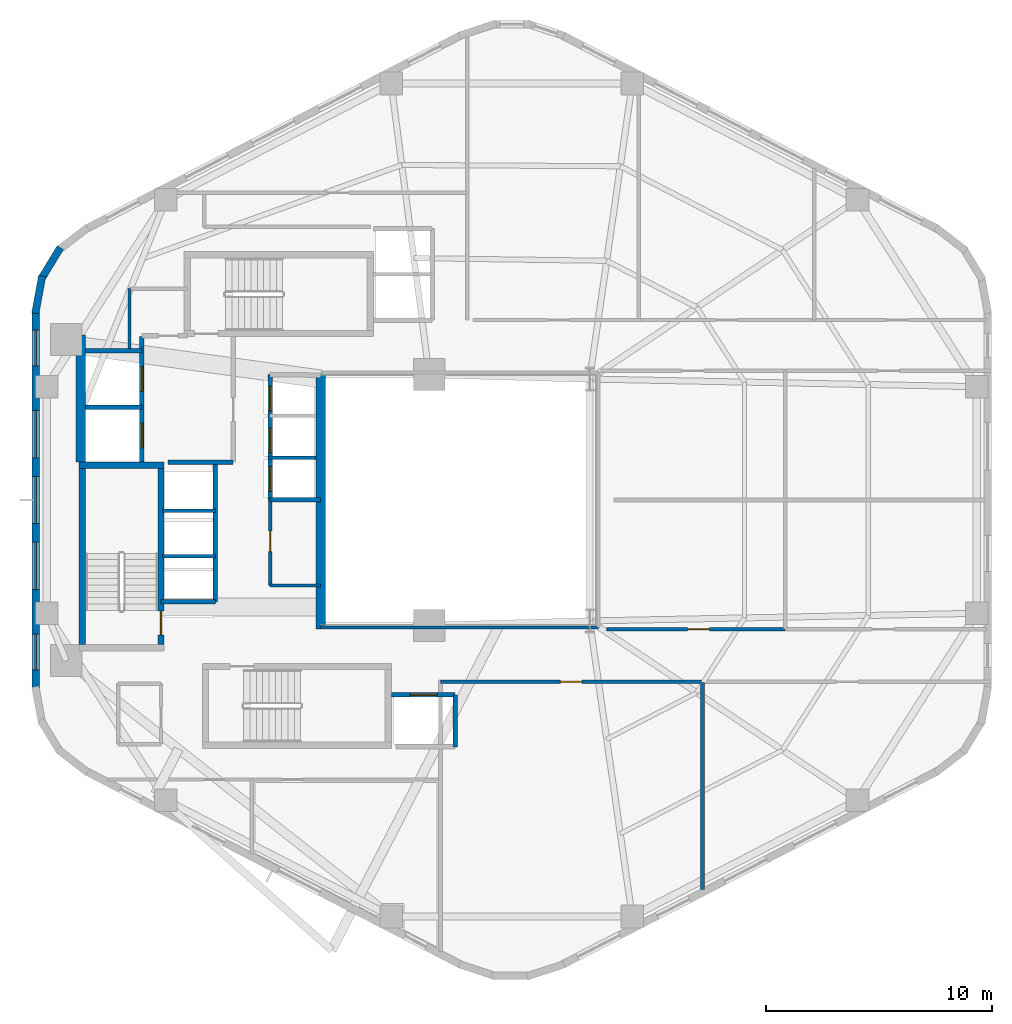
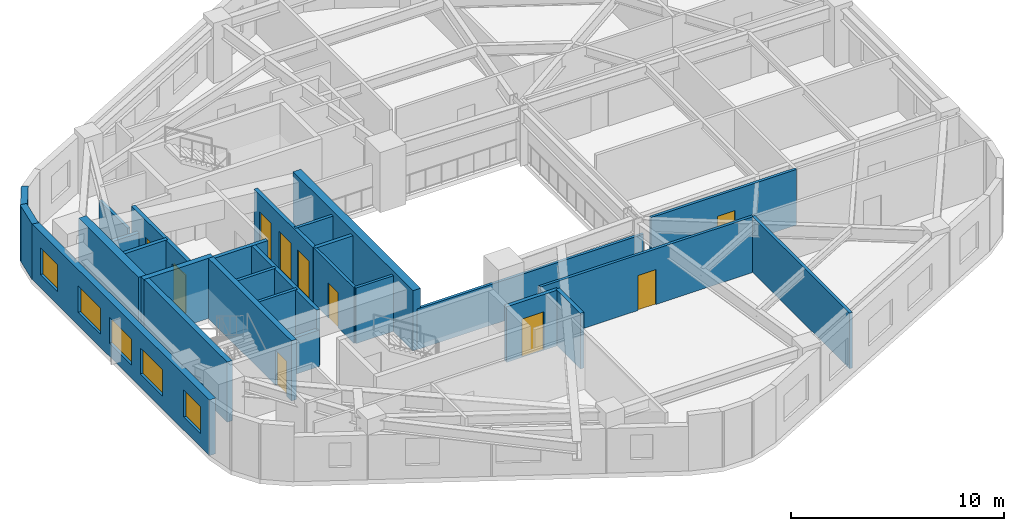
# One storey, part 3 of 6: 28 walls, 10 doors, 5 windows, 15 openings.
"""IFC4 building model written with IfcOpenShell, lengths in metres."""

from ifc_helpers import new_model, si_unit, direction, frame, frame_2d, origin, place, context, subcontext, project, spatial, rectangle, extrude, material, layer, layer_set, type_object, element, fill, save


model = new_model("IFC4")

# Units and contexts
model_context = context("Model", 3, precision=1e-05, world=origin(), true_north=direction((0.0, 1.0)))
body_context = subcontext(model_context, "Body", "Model", "MODEL_VIEW")
ifc_project = project(units=[si_unit("LENGTHUNIT", "METRE"), si_unit("AREAUNIT", "SQUARE_METRE"), si_unit("VOLUMEUNIT", "CUBIC_METRE"), si_unit("PLANEANGLEUNIT", "RADIAN"), si_unit("MASSUNIT", "GRAM", prefix="KILO"), si_unit("THERMODYNAMICTEMPERATUREUNIT", "KELVIN"), si_unit("POWERUNIT", "WATT")], contexts=[model_context])

# Site, building, storey
site_placement = place(None, origin())
site = spatial("IfcSite", under=ifc_project, at=site_placement, CompositionType="ELEMENT")
building_placement = place(site_placement, origin())
building = spatial("IfcBuilding", under=site, at=building_placement, Name="Skarre Station Tower", CompositionType="ELEMENT")
storey_placement = place(building_placement, frame((0.0, 0.0, 156.75)))
storey = spatial("IfcBuildingStorey", under=building, at=storey_placement, Name="L42", CompositionType="ELEMENT", Elevation=156.75)

# Wall, opening, door
ifc_material_1 = material(Name="Acoustic Steel-Stud Gypsum Partition", Category="steel")
ifc_layer_1 = layer(ifc_material_1, 0.14990234375, Name="Acoustic Steel-Stud Gypsum Partition")
ifc_layer_set_1 = layer_set([ifc_layer_1], Name="Acoustic Steel-Stud Gypsum Partition")
wall_type_1 = type_object("IfcWallType", Name="Fire-Rated Corridor Acoustic Partition 150", PredefinedType="PARTITIONING", material=ifc_layer_set_1)
wall_1_placement = place(storey_placement, frame((25.320068359375, 24.02001953125, 0.0), z_axis=(0.0, 0.0, 1.0), x_axis=(0.0, -1.0, 0.0)))
wall_1 = element("IfcWall", 1, at=wall_1_placement, inside=storey, type_object=wall_type_1, Name="L42 Interior Partition WL-PT-L42-RC1-W", PredefinedType="PARTITIONING", context=body_context, shape_type="SweptSolid", body=[
    extrude(rectangle(XDim=3.800048828125, YDim=0.14990234375, at=frame_2d((1.89990234375, 0.0))), origin(), (0.0, 0.0, 1.0), 3.18994140625),
])
opening_1_placement = place(wall_1_placement, frame((1.39990234375, 0.0, 0.0)))
opening_1 = element("IfcOpeningElement", 2, at=opening_1_placement, cuts=wall_1, Name="Opening DR-SVC90", PredefinedType="OPENING", context=body_context, shape_type="SweptSolid", body=[
    extrude(rectangle(XDim=0.89990234375, YDim=2.0, at=frame_2d((0.449951171875, 1.0))), frame((0.0, 0.0849609375, 0.0), z_axis=(0.0, -1.0, 0.0), x_axis=(1.0, 0.0, 0.0)), (0.0, 0.0, 1.0), 0.169921875),
])
ifc_material_2 = material(Name="Powder-Coated Hollow-Metal Acoustic Fire Leaf", Category="steel")
door_type_1 = type_object("IfcDoorType", Name="Service & Riser Fire Door FD60 900x2100", OperationType="SINGLE_SWING_LEFT", PredefinedType="DOOR", material=ifc_material_2)
door_1_placement = place(opening_1_placement, origin())
door_1 = element("IfcDoor", 3, at=door_1_placement, inside=storey, type_object=door_type_1, Name="L42 Housekeeping Room Door", OperationType="SINGLE_SWING_LEFT", OverallHeight=2.0, OverallWidth=0.89990234375, PredefinedType="DOOR", context=body_context, shape_type="SweptSolid", body=[
    extrude(rectangle(XDim=0.89990234375, YDim=2.0, at=frame_2d((0.449951171875, 1.0))), frame((0.0, 0.02490234375, 0.0), z_axis=(0.0, -1.0, 0.0), x_axis=(1.0, 0.0, 0.0)), (0.0, 0.0, 1.0), 0.050048828125),
])
fill(opening_1, door_1)

# Walls
wall_2_placement = place(storey_placement, frame((25.320068359375, 20.219970703125, 0.0), z_axis=(0.0, 0.0, 1.0), x_axis=(1.0, 0.0, 0.0)))
element("IfcWall", 4, at=wall_2_placement, inside=storey, type_object=wall_type_1, Name="L42 Interior Partition WL-PT-L42-RC1-S", PredefinedType="PARTITIONING", context=body_context, shape_type="SweptSolid", body=[
    extrude(rectangle(XDim=2.22998046875, YDim=0.14990234375, at=frame_2d((1.114990234375, 0.0))), origin(), (0.0, 0.0, 1.0), 3.18994140625),
])
wall_3_placement = place(storey_placement, frame((19.10009765625, 33.35009765625, 0.0), z_axis=(0.0, 0.0, 1.0), x_axis=(0.0, -1.0, 0.0)))
element("IfcWall", 5, at=wall_3_placement, inside=storey, type_object=wall_type_1, Name="L42 Interior Partition WL-PT-L42-CNW-W", PredefinedType="PARTITIONING", context=body_context, shape_type="SweptSolid", body=[
    extrude(rectangle(XDim=2.655029296875, YDim=0.14990234375, at=frame_2d((1.32763671875, 0.0))), origin(), (0.0, 0.0, 1.0), 2.419921875),
])
wall_4_placement = place(storey_placement, frame((27.550048828125, 18.360107421875, 0.0), z_axis=(0.0, 0.0, 1.0), x_axis=(1.0, 0.0, 0.0)))
element("IfcWall", 6, at=wall_4_placement, inside=storey, type_object=wall_type_1, Name="L42 Interior Partition WL-PT-L42-ATRW-S", PredefinedType="PARTITIONING", context=body_context, shape_type="SweptSolid", body=[
    extrude(rectangle(XDim=12.2900390625, YDim=0.14990234375, at=frame_2d((6.14501953125, 0.0))), origin(), (0.0, 0.0, 1.0), 2.3310546875),
])

# Wall, opening, door
wall_5_placement = place(storey_placement, frame((48.090087890625, 18.2900390625, 0.0), z_axis=(0.0, 0.0, 1.0), x_axis=(-1.0, 0.0, 0.0)))
wall_5 = element("IfcWall", 7, at=wall_5_placement, inside=storey, type_object=wall_type_1, Name="L42 Interior Partition WL-PT-L42-EWS1-CW", PredefinedType="PARTITIONING", context=body_context, shape_type="SweptSolid", body=[
    extrude(rectangle(XDim=7.89013671875, YDim=0.14990234375, at=frame_2d((3.945068359375, 0.0))), origin(), (0.0, 0.0, 1.0), 3.18994140625),
])
opening_2_placement = place(wall_5_placement, frame((3.344970703125, 0.0, 0.0)))
opening_2 = element("IfcOpeningElement", 8, at=opening_2_placement, cuts=wall_5, Name="Opening DR-FD60", PredefinedType="OPENING", context=body_context, shape_type="SweptSolid", body=[
    extrude(rectangle(XDim=0.9599609375, YDim=2.0, at=frame_2d((0.47998046875, 1.0))), frame((0.0, 0.0849609375, 0.0), z_axis=(0.0, -1.0, 0.0), x_axis=(1.0, 0.0, 0.0)), (0.0, 0.0, 1.0), 0.169921875),
])
ifc_material_3 = material(Name="Nordic White-Oak Veneer Solid-Core Fire Leaf", Category="wood")
door_type_2 = type_object("IfcDoorType", Name="Corridor Suite Entry Fire Door FD60 960x2150", OperationType="SINGLE_SWING_LEFT", PredefinedType="DOOR", material=ifc_material_3)
door_2_placement = place(opening_2_placement, origin())
door_2 = element("IfcDoor", 9, at=door_2_placement, inside=storey, type_object=door_type_2, Name="L42 EWS1 Entry Door", OperationType="SINGLE_SWING_LEFT", OverallHeight=2.0, OverallWidth=0.9599609375, PredefinedType="DOOR", context=body_context, shape_type="SweptSolid", body=[
    extrude(rectangle(XDim=0.9599609375, YDim=2.0, at=frame_2d((0.47998046875, 1.0))), frame((0.0, 0.02490234375, 0.0), z_axis=(0.0, -1.0, 0.0), x_axis=(1.0, 0.0, 0.0)), (0.0, 0.0, 1.0), 0.050048828125),
])
fill(opening_2, door_2)

wall_6_placement = place(storey_placement, frame((32.85009765625, 15.9599609375, 0.0), z_axis=(0.0, 0.0, 1.0), x_axis=(1.0, 0.0, 0.0)))
wall_6 = element("IfcWall", 10, at=wall_6_placement, inside=storey, type_object=wall_type_1, Name="L42 Interior Partition WL-PT-L42-SW1-CW", PredefinedType="PARTITIONING", context=body_context, shape_type="SweptSolid", body=[
    extrude(rectangle(XDim=11.57080078125, YDim=0.14990234375, at=frame_2d((5.785400390625, 0.0))), origin(), (0.0, 0.0, 1.0), 3.18994140625),
])
opening_3_placement = place(wall_6_placement, frame((5.305908203125, 0.0, 0.0)))
opening_3 = element("IfcOpeningElement", 11, at=opening_3_placement, cuts=wall_6, Name="Opening DR-FD60", PredefinedType="OPENING", context=body_context, shape_type="SweptSolid", body=[
    extrude(rectangle(XDim=0.9599609375, YDim=2.0, at=frame_2d((0.47998046875, 1.0))), frame((0.0, 0.0849609375, 0.0), z_axis=(0.0, -1.0, 0.0), x_axis=(1.0, 0.0, 0.0)), (0.0, 0.0, 1.0), 0.169921875),
])
door_3_placement = place(opening_3_placement, origin())
door_3 = element("IfcDoor", 12, at=door_3_placement, inside=storey, type_object=door_type_2, Name="L42 SW1 Entry Door", OperationType="SINGLE_SWING_LEFT", OverallHeight=2.0, OverallWidth=0.9599609375, PredefinedType="DOOR", context=body_context, shape_type="SweptSolid", body=[
    extrude(rectangle(XDim=0.9599609375, YDim=2.0, at=frame_2d((0.47998046875, 1.0))), frame((0.0, 0.02490234375, 0.0), z_axis=(0.0, -1.0, 0.0), x_axis=(1.0, 0.0, 0.0)), (0.0, 0.0, 1.0), 0.050048828125),
])
fill(opening_3, door_3)

# Wall, openings, windows
ifc_material_4 = material(Name="Precast concrete C45/55", Category="concrete")
ifc_layer_2 = layer(ifc_material_4, 0.340087890625, Name="Precast concrete C45/55")
ifc_layer_set_2 = layer_set([ifc_layer_2], Name="Precast concrete C45/55")
wall_type_2 = type_object("IfcWallType", Name="Nordic Honed Precast Facet Wall 340", PredefinedType="STANDARD", material=ifc_layer_set_2)
wall_7_placement = place(storey_placement, frame((14.951904296875, 15.64794921875, 0.0), z_axis=(0.0, 0.0, 1.0), x_axis=(0.0, 1.0, 0.0)))
wall_7 = element("IfcWall", 13, at=wall_7_placement, inside=storey, type_object=wall_type_2, Name="L42 Facet 2 Nordic Precast Masonry Wall", PredefinedType="STANDARD", context=body_context, shape_type="SweptSolid", body=[
    extrude(rectangle(XDim=16.7041015625, YDim=0.340087890625, at=frame_2d((8.35205078125, 0.0))), origin(), (0.0, 0.0, 1.0), 3.18994140625),
])
opening_4_placement = place(wall_7_placement, frame((0.825927734375, 0.0, 0.75)))
opening_4 = element("IfcOpeningElement", 14, at=opening_4_placement, cuts=wall_7, Name="Opening WN-Z2A", PredefinedType="OPENING", context=body_context, shape_type="SweptSolid", body=[
    extrude(rectangle(XDim=1.60009765625, YDim=1.550048828125, at=frame_2d((0.800048828125, 0.77490234375))), frame((0.0, 0.179931640625, 0.0), z_axis=(0.0, -1.0, 0.0), x_axis=(1.0, 0.0, 0.0)), (0.0, 0.0, 1.0), 0.360107421875),
])
opening_5_placement = place(wall_7_placement, frame((4.387939453125, 0.0, 0.75)))
opening_5 = element("IfcOpeningElement", 15, at=opening_5_placement, cuts=wall_7, Name="Opening WN-Z2B", PredefinedType="OPENING", context=body_context, shape_type="SweptSolid", body=[
    extrude(rectangle(XDim=2.10009765625, YDim=1.5, at=frame_2d((1.050048828125, 0.75))), frame((0.0, 0.179931640625, 0.0), z_axis=(0.0, -1.0, 0.0), x_axis=(1.0, 0.0, 0.0)), (0.0, 0.0, 1.0), 0.360107421875),
])
opening_6_placement = place(wall_7_placement, frame((7.302001953125, 0.0, 0.75)))
opening_6 = element("IfcOpeningElement", 16, at=opening_6_placement, cuts=wall_7, Name="Opening WN-Z2B", PredefinedType="OPENING", context=body_context, shape_type="SweptSolid", body=[
    extrude(rectangle(XDim=2.10009765625, YDim=1.5, at=frame_2d((1.050048828125, 0.75))), frame((0.0, 0.179931640625, 0.0), z_axis=(0.0, -1.0, 0.0), x_axis=(1.0, 0.0, 0.0)), (0.0, 0.0, 1.0), 0.360107421875),
])
opening_7_placement = place(wall_7_placement, frame((10.216064453125, 0.0, 0.75)))
opening_7 = element("IfcOpeningElement", 17, at=opening_7_placement, cuts=wall_7, Name="Opening WN-Z2B", PredefinedType="OPENING", context=body_context, shape_type="SweptSolid", body=[
    extrude(rectangle(XDim=2.10009765625, YDim=1.5, at=frame_2d((1.050048828125, 0.75))), frame((0.0, 0.179931640625, 0.0), z_axis=(0.0, -1.0, 0.0), x_axis=(1.0, 0.0, 0.0)), (0.0, 0.0, 1.0), 0.360107421875),
])
opening_8_placement = place(wall_7_placement, frame((14.278076171875, 0.0, 0.75)))
opening_8 = element("IfcOpeningElement", 18, at=opening_8_placement, cuts=wall_7, Name="Opening WN-Z2A", PredefinedType="OPENING", context=body_context, shape_type="SweptSolid", body=[
    extrude(rectangle(XDim=1.60009765625, YDim=1.550048828125, at=frame_2d((0.800048828125, 0.77490234375))), frame((0.0, 0.179931640625, 0.0), z_axis=(0.0, -1.0, 0.0), x_axis=(1.0, 0.0, 0.0)), (0.0, 0.0, 1.0), 0.360107421875),
])
ifc_material_5 = material(Name="Low-Iron Triple Glazing with Bronze Anodized Frame", Category="glass")
window_type_1 = type_object("IfcWindowType", Name="Nordic Residential Tall Window 1600x1550", PartitioningType="SINGLE_PANEL", PredefinedType="WINDOW", material=ifc_material_5)
window_1_placement = place(opening_4_placement, origin())
window_1 = element("IfcWindow", 19, at=window_1_placement, inside=storey, type_object=window_type_1, Name="L42 Facade Window WL-FAC-L42-F2-1", OverallHeight=1.550048828125, OverallWidth=1.60009765625, PartitioningType="SINGLE_PANEL", PredefinedType="WINDOW", context=body_context, shape_type="SweptSolid", body=[
    extrude(rectangle(XDim=1.60009765625, YDim=1.550048828125, at=frame_2d((0.800048828125, 0.77490234375))), frame((0.0, 0.030029296875, 0.0), z_axis=(0.0, -1.0, 0.0), x_axis=(1.0, 0.0, 0.0)), (0.0, 0.0, 1.0), 0.06005859375),
])
fill(opening_4, window_1)
window_2_placement = place(opening_8_placement, origin())
window_2 = element("IfcWindow", 20, at=window_2_placement, inside=storey, type_object=window_type_1, Name="L42 Facade Window WL-FAC-L42-F2-5", OverallHeight=1.550048828125, OverallWidth=1.60009765625, PartitioningType="SINGLE_PANEL", PredefinedType="WINDOW", context=body_context, shape_type="SweptSolid", body=[
    extrude(rectangle(XDim=1.60009765625, YDim=1.550048828125, at=frame_2d((0.800048828125, 0.77490234375))), frame((0.0, 0.030029296875, 0.0), z_axis=(0.0, -1.0, 0.0), x_axis=(1.0, 0.0, 0.0)), (0.0, 0.0, 1.0), 0.06005859375),
])
fill(opening_8, window_2)
window_type_2 = type_object("IfcWindowType", Name="Nordic Residential Twin Window 2100x1500", PartitioningType="SINGLE_PANEL", PredefinedType="WINDOW", material=ifc_material_5)
window_3_placement = place(opening_5_placement, origin())
window_3 = element("IfcWindow", 21, at=window_3_placement, inside=storey, type_object=window_type_2, Name="L42 Facade Window WL-FAC-L42-F2-2", OverallHeight=1.5, OverallWidth=2.10009765625, PartitioningType="SINGLE_PANEL", PredefinedType="WINDOW", context=body_context, shape_type="SweptSolid", body=[
    extrude(rectangle(XDim=2.10009765625, YDim=1.5, at=frame_2d((1.050048828125, 0.75))), frame((0.0, 0.030029296875, 0.0), z_axis=(0.0, -1.0, 0.0), x_axis=(1.0, 0.0, 0.0)), (0.0, 0.0, 1.0), 0.06005859375),
])
fill(opening_5, window_3)
window_4_placement = place(opening_6_placement, origin())
window_4 = element("IfcWindow", 22, at=window_4_placement, inside=storey, type_object=window_type_2, Name="L42 Facade Window WL-FAC-L42-F2-3", OverallHeight=1.5, OverallWidth=2.10009765625, PartitioningType="SINGLE_PANEL", PredefinedType="WINDOW", context=body_context, shape_type="SweptSolid", body=[
    extrude(rectangle(XDim=2.10009765625, YDim=1.5, at=frame_2d((1.050048828125, 0.75))), frame((0.0, 0.030029296875, 0.0), z_axis=(0.0, -1.0, 0.0), x_axis=(1.0, 0.0, 0.0)), (0.0, 0.0, 1.0), 0.06005859375),
])
fill(opening_6, window_4)
window_5_placement = place(opening_7_placement, origin())
window_5 = element("IfcWindow", 23, at=window_5_placement, inside=storey, type_object=window_type_2, Name="L42 Facade Window WL-FAC-L42-F2-4", OverallHeight=1.5, OverallWidth=2.10009765625, PartitioningType="SINGLE_PANEL", PredefinedType="WINDOW", context=body_context, shape_type="SweptSolid", body=[
    extrude(rectangle(XDim=2.10009765625, YDim=1.5, at=frame_2d((1.050048828125, 0.75))), frame((0.0, 0.030029296875, 0.0), z_axis=(0.0, -1.0, 0.0), x_axis=(1.0, 0.0, 0.0)), (0.0, 0.0, 1.0), 0.06005859375),
])
fill(opening_7, window_5)

# Walls
ifc_layer_3 = layer(ifc_material_4, 0.330078125, Name="Precast concrete C45/55")
ifc_layer_set_3 = layer_set([ifc_layer_3], Name="Precast concrete C45/55")
wall_type_3 = type_object("IfcWallType", Name="Nordic Rounded Corner Precast Wall 330", PredefinedType="STANDARD", material=ifc_layer_set_3)
wall_8_placement = place(storey_placement, frame((14.931884765625, 32.258056640625, 0.0), z_axis=(0.0, 0.0, 1.0), x_axis=(0.181984991895, 0.983301308209, 0.0)))
element("IfcWall", 24, at=wall_8_placement, inside=storey, type_object=wall_type_3, Name="L42 Rounded Corner Precast Wall F2-1", PredefinedType="STANDARD", context=body_context, shape_type="SweptSolid", body=[
    extrude(rectangle(XDim=1.677001953125, YDim=0.330078125, at=frame_2d((0.83837890625, 0.0))), origin(), (0.0, 0.0, 1.0), 3.18994140625),
])
wall_9_placement = place(storey_placement, frame((15.169921875, 33.73193359375, 0.0), z_axis=(0.0, 0.0, 1.0), x_axis=(0.520519429557, 0.853849824883, 0.0)))
element("IfcWall", 25, at=wall_9_placement, inside=storey, type_object=wall_type_3, Name="L42 Rounded Corner Precast Wall F2-2", PredefinedType="STANDARD", context=body_context, shape_type="SweptSolid", body=[
    extrude(rectangle(XDim=1.67724609375, YDim=0.330078125, at=frame_2d((0.838623046875, 0.0))), origin(), (0.0, 0.0, 1.0), 3.18994140625),
])
ifc_material_6 = material(Name="Concrete C50/60", Category="concrete")
ifc_layer_4 = layer(ifc_material_6, 0.280029296875, Name="Concrete C50/60")
ifc_layer_set_4 = layer_set([ifc_layer_4], Name="Concrete C50/60")
wall_type_4 = type_object("IfcWallType", Name="RC Core Shear Wall 280", PredefinedType="SHEAR", material=ifc_layer_set_4)
wall_10_placement = place(storey_placement, frame((20.6298828125, 25.5400390625, 0.0), z_axis=(0.0, 0.0, 1.0), x_axis=(-1.0, 0.0, 0.0)))
element("IfcWall", 26, at=wall_10_placement, inside=storey, type_object=wall_type_4, Name="L42 Stair ST-1 North Shear Wall", PredefinedType="SHEAR", context=body_context, shape_type="SweptSolid", body=[
    extrude(rectangle(XDim=3.759765625, YDim=0.280029296875, at=frame_2d((1.8798828125, 0.0))), origin(), (0.0, 0.0, 1.0), 3.449951171875),
])
wall_11_placement = place(storey_placement, frame((17.010009765625, 25.39990234375, 0.0), z_axis=(0.0, 0.0, 1.0), x_axis=(0.0, -1.0, 0.0)))
element("IfcWall", 27, at=wall_11_placement, inside=storey, type_object=wall_type_4, Name="L42 Stair ST-1 West Shear Wall", PredefinedType="SHEAR", context=body_context, shape_type="SweptSolid", body=[
    extrude(rectangle(XDim=7.7998046875, YDim=0.280029296875, at=frame_2d((3.89990234375, 0.0))), origin(), (0.0, 0.0, 1.0), 3.449951171875),
])

# Wall, opening, door
wall_12_placement = place(storey_placement, frame((20.489990234375, 17.60009765625, 0.0), z_axis=(0.0, 0.0, 1.0), x_axis=(0.0, 1.0, 0.0)))
wall_12 = element("IfcWall", 28, at=wall_12_placement, inside=storey, type_object=wall_type_4, Name="L42 Stair ST-1 East Shear Wall", PredefinedType="SHEAR", context=body_context, shape_type="SweptSolid", body=[
    extrude(rectangle(XDim=7.7998046875, YDim=0.280029296875, at=frame_2d((3.89990234375, 0.0))), origin(), (0.0, 0.0, 1.0), 3.449951171875),
])
opening_9_placement = place(wall_12_placement, frame((0.43994140625, 0.0, 0.0)))
opening_9 = element("IfcOpeningElement", 29, at=opening_9_placement, cuts=wall_12, Name="Opening DR-FD90", PredefinedType="OPENING", context=body_context, shape_type="SweptSolid", body=[
    extrude(rectangle(XDim=1.050048828125, YDim=2.0, at=frame_2d((0.52490234375, 1.0))), frame((0.0, 0.14990234375, 0.0), z_axis=(0.0, -1.0, 0.0), x_axis=(1.0, 0.0, 0.0)), (0.0, 0.0, 1.0), 0.300048828125),
])
ifc_material_7 = material(Name="Fire-Rated Insulated Steel Frame & Timber Core Leaf", Category="steel")
door_type_3 = type_object("IfcDoorType", Name="Stair & FSAE Lobby Fire Door FD90 1050x2150", OperationType="SINGLE_SWING_RIGHT", PredefinedType="DOOR", material=ifc_material_7)
door_4_placement = place(opening_9_placement, origin())
door_4 = element("IfcDoor", 30, at=door_4_placement, inside=storey, type_object=door_type_3, Name="L42 Stair ST-1 Exit Door", OperationType="SINGLE_SWING_RIGHT", OverallHeight=2.0, OverallWidth=1.050048828125, PredefinedType="DOOR", context=body_context, shape_type="SweptSolid", body=[
    extrude(rectangle(XDim=1.050048828125, YDim=2.0, at=frame_2d((0.52490234375, 1.0))), frame((0.0, 0.02490234375, 0.0), z_axis=(0.0, -1.0, 0.0), x_axis=(1.0, 0.0, 0.0)), (0.0, 0.0, 1.0), 0.050048828125),
])
fill(opening_9, door_4)

# Walls
ifc_material_8 = material(Name="Concrete C60/75", Category="concrete")
ifc_layer_5 = layer(ifc_material_8, 0.419921875, Name="Concrete C60/75")
ifc_layer_set_5 = layer_set([ifc_layer_5], Name="Concrete C60/75")
wall_type_5 = type_object("IfcWallType", Name="RC Core Shear Wall 420", PredefinedType="SHEAR", material=ifc_layer_set_5)
wall_13_placement = place(storey_placement, frame((16.93994140625, 25.679931640625, 0.0), z_axis=(0.0, 0.0, 1.0), x_axis=(0.0, 1.0, 0.0)))
element("IfcWall", 31, at=wall_13_placement, inside=storey, type_object=wall_type_5, Name="L42 Core West-North Shear Wall", PredefinedType="SHEAR", context=body_context, shape_type="SweptSolid", body=[
    extrude(rectangle(XDim=5.6201171875, YDim=0.419921875, at=frame_2d((2.81005859375, 0.0))), origin(), (0.0, 0.0, 1.0), 3.449951171875),
])
wall_14_placement = place(storey_placement, frame((27.550048828125, 29.550048828125, 0.0), z_axis=(0.0, 0.0, 1.0), x_axis=(0.0, -1.0, 0.0)))
element("IfcWall", 32, at=wall_14_placement, inside=storey, type_object=wall_type_5, Name="L42 Core East Atrium Shear Wall", PredefinedType="SHEAR", context=body_context, shape_type="SweptSolid", body=[
    extrude(rectangle(XDim=11.25, YDim=0.419921875, at=frame_2d((5.625, 0.0))), origin(), (0.0, 0.0, 1.0), 3.449951171875),
])

# Wall, openings, doors
ifc_material_9 = material(Name="Gypsum Concrete Shaft Assembly C30/37", Category="concrete")
ifc_layer_6 = layer(ifc_material_9, 0.199951171875, Name="Gypsum Concrete Shaft Assembly C30/37")
ifc_layer_set_6 = layer_set([ifc_layer_6], Name="Gypsum Concrete Shaft Assembly C30/37")
wall_type_6 = type_object("IfcWallType", Name="Shaft & Core Fire Partition 200", PredefinedType="PARTITIONING", material=ifc_layer_set_6)
wall_15_placement = place(storey_placement, frame((19.64990234375, 25.679931640625, 0.0), z_axis=(0.0, 0.0, 1.0), x_axis=(0.0, 1.0, 0.0)))
wall_15 = element("IfcWall", 33, at=wall_15_placement, inside=storey, type_object=wall_type_6, Name="L42 Interior Partition WL-PT-L42-FSAE-W", PredefinedType="PARTITIONING", context=body_context, shape_type="SweptSolid", body=[
    extrude(rectangle(XDim=5.5400390625, YDim=0.199951171875, at=frame_2d((2.77001953125, 0.0))), origin(), (0.0, 0.0, 1.0), 3.18994140625),
])
opening_10_placement = place(wall_15_placement, frame((0.6201171875, 0.0, 0.0)))
opening_10 = element("IfcOpeningElement", 34, at=opening_10_placement, cuts=wall_15, Name="Opening LD-FF1", PredefinedType="OPENING", context=body_context, shape_type="SweptSolid", body=[
    extrude(rectangle(XDim=1.10009765625, YDim=2.199951171875, at=frame_2d((0.550048828125, 1.10009765625))), frame((0.0, 0.10986328125, 0.0), z_axis=(0.0, -1.0, 0.0), x_axis=(1.0, 0.0, 0.0)), (0.0, 0.0, 1.0), 0.219970703125),
])
opening_11_placement = place(wall_15_placement, frame((3.1201171875, 0.0, 0.0)))
opening_11 = element("IfcOpeningElement", 35, at=opening_11_placement, cuts=wall_15, Name="Opening LD-FF2", PredefinedType="OPENING", context=body_context, shape_type="SweptSolid", body=[
    extrude(rectangle(XDim=1.10009765625, YDim=2.199951171875, at=frame_2d((0.550048828125, 1.10009765625))), frame((0.0, 0.10986328125, 0.0), z_axis=(0.0, -1.0, 0.0), x_axis=(1.0, 0.0, 0.0)), (0.0, 0.0, 1.0), 0.219970703125),
])
ifc_material_10 = material(Name="Fire-Rated Stainless Steel Grade 316L Sliding Leaves", Category="steel")
door_type_4 = type_object("IfcDoorType", Name="Fire Service Access Elevator Sliding Landing Door 1100x2200", OperationType="SLIDING_TO_LEFT", PredefinedType="DOOR", material=ifc_material_10)
door_5_placement = place(opening_10_placement, origin())
door_5 = element("IfcDoor", 36, at=door_5_placement, inside=storey, type_object=door_type_4, Name="L42 Firefighting Lift LF-FF1 Landing Door", OperationType="SLIDING_TO_LEFT", OverallHeight=2.199951171875, OverallWidth=1.10009765625, PredefinedType="DOOR", context=body_context, shape_type="SweptSolid", body=[
    extrude(rectangle(XDim=1.10009765625, YDim=2.199951171875, at=frame_2d((0.550048828125, 1.10009765625))), frame((0.0, 0.02490234375, 0.0), z_axis=(0.0, -1.0, 0.0), x_axis=(1.0, 0.0, 0.0)), (0.0, 0.0, 1.0), 0.050048828125),
])
fill(opening_10, door_5)
door_6_placement = place(opening_11_placement, origin())
door_6 = element("IfcDoor", 37, at=door_6_placement, inside=storey, type_object=door_type_4, Name="L42 Firefighting Lift LF-FF2 Landing Door", OperationType="SLIDING_TO_LEFT", OverallHeight=2.199951171875, OverallWidth=1.10009765625, PredefinedType="DOOR", context=body_context, shape_type="SweptSolid", body=[
    extrude(rectangle(XDim=1.10009765625, YDim=2.199951171875, at=frame_2d((0.550048828125, 1.10009765625))), frame((0.0, 0.02490234375, 0.0), z_axis=(0.0, -1.0, 0.0), x_axis=(1.0, 0.0, 0.0)), (0.0, 0.0, 1.0), 0.050048828125),
])
fill(opening_11, door_6)

# Walls
wall_16_placement = place(storey_placement, frame((20.79296875, 25.679931640625, 0.0), z_axis=(0.0, 0.0, 1.0), x_axis=(1.0, 0.0, 0.0)))
element("IfcWall", 38, at=wall_16_placement, inside=storey, type_object=wall_type_6, Name="L42 Interior Partition WL-PT-L42-FSAE-S", PredefinedType="PARTITIONING", context=body_context, shape_type="SweptSolid", body=[
    extrude(rectangle(XDim=2.886962890625, YDim=0.199951171875, at=frame_2d((1.443359375, 0.0))), origin(), (0.0, 0.0, 1.0), 3.18994140625),
])
wall_17_placement = place(storey_placement, frame((17.14990234375, 28.10009765625, 0.0), z_axis=(0.0, 0.0, 1.0), x_axis=(1.0, 0.0, 0.0)))
element("IfcWall", 39, at=wall_17_placement, inside=storey, type_object=wall_type_6, Name="L42 Interior Partition WL-PT-L42-FF-DIV", PredefinedType="PARTITIONING", context=body_context, shape_type="SweptSolid", body=[
    extrude(rectangle(XDim=2.5, YDim=0.199951171875, at=frame_2d((1.25, 0.0))), origin(), (0.0, 0.0, 1.0), 3.18994140625),
])
wall_18_placement = place(storey_placement, frame((19.64990234375, 30.60009765625, 0.0), z_axis=(0.0, 0.0, 1.0), x_axis=(-1.0, 0.0, 0.0)))
element("IfcWall", 40, at=wall_18_placement, inside=storey, type_object=wall_type_6, Name="L42 Interior Partition WL-PT-L42-FF-N", PredefinedType="PARTITIONING", context=body_context, shape_type="SweptSolid", body=[
    extrude(rectangle(XDim=2.5, YDim=0.199951171875, at=frame_2d((1.25, 0.0))), origin(), (0.0, 0.0, 1.0), 2.090087890625),
])

# Wall, opening, door
wall_19_placement = place(storey_placement, frame((33.5, 15.3798828125, 0.0), z_axis=(0.0, 0.0, 1.0), x_axis=(-1.0, 0.0, 0.0)))
wall_19 = element("IfcWall", 41, at=wall_19_placement, inside=storey, type_object=wall_type_6, Name="L42 Interior Partition WL-PT-L42-SV1-N", PredefinedType="PARTITIONING", context=body_context, shape_type="SweptSolid", body=[
    extrude(rectangle(XDim=2.820068359375, YDim=0.199951171875, at=frame_2d((1.41015625, 0.0))), origin(), (0.0, 0.0, 1.0), 3.18994140625),
])
opening_12_placement = place(wall_19_placement, frame((0.800048828125, 0.0, 0.0)))
opening_12 = element("IfcOpeningElement", 42, at=opening_12_placement, cuts=wall_19, Name="Opening LD-SV1", PredefinedType="OPENING", context=body_context, shape_type="SweptSolid", body=[
    extrude(rectangle(XDim=1.199951171875, YDim=2.199951171875, at=frame_2d((0.60009765625, 1.10009765625))), frame((0.0, 0.10986328125, 0.0), z_axis=(0.0, -1.0, 0.0), x_axis=(1.0, 0.0, 0.0)), (0.0, 0.0, 1.0), 0.219970703125),
])
ifc_material_11 = material(Name="Heavy-Gauge Brushed Stainless Steel Sliding Leaves", Category="steel")
door_type_5 = type_object("IfcDoorType", Name="Service Elevator Wide Sliding Landing Door 1200x2200", OperationType="SLIDING_TO_RIGHT", PredefinedType="DOOR", material=ifc_material_11)
door_7_placement = place(opening_12_placement, origin())
door_7 = element("IfcDoor", 43, at=door_7_placement, inside=storey, type_object=door_type_5, Name="L42 Service Lift LF-SV1 Landing Door", OperationType="SLIDING_TO_RIGHT", OverallHeight=2.199951171875, OverallWidth=1.199951171875, PredefinedType="DOOR", context=body_context, shape_type="SweptSolid", body=[
    extrude(rectangle(XDim=1.199951171875, YDim=2.199951171875, at=frame_2d((0.60009765625, 1.10009765625))), frame((0.0, 0.02490234375, 0.0), z_axis=(0.0, -1.0, 0.0), x_axis=(1.0, 0.0, 0.0)), (0.0, 0.0, 1.0), 0.050048828125),
])
fill(opening_12, door_7)

# Walls
wall_20_placement = place(storey_placement, frame((33.5, 13.080078125, 0.0), z_axis=(0.0, 0.0, 1.0), x_axis=(0.0, 1.0, 0.0)))
element("IfcWall", 44, at=wall_20_placement, inside=storey, type_object=wall_type_6, Name="L42 Interior Partition WL-PT-L42-SV1-E", PredefinedType="PARTITIONING", context=body_context, shape_type="SweptSolid", body=[
    extrude(rectangle(XDim=2.2998046875, YDim=0.199951171875, at=frame_2d((1.14990234375, 0.0))), origin(), (0.0, 0.0, 1.0), 3.18994140625),
])
wall_21_placement = place(storey_placement, frame((22.89990234375, 19.5, 0.0), z_axis=(0.0, 0.0, 1.0), x_axis=(0.0, 1.0, 0.0)))
element("IfcWall", 45, at=wall_21_placement, inside=storey, type_object=wall_type_6, Name="L42 Interior Partition WL-PT-L42-B3-E", PredefinedType="PARTITIONING", context=body_context, shape_type="SweptSolid", body=[
    extrude(rectangle(XDim=6.0849609375, YDim=0.199951171875, at=frame_2d((3.04248046875, 0.0))), origin(), (0.0, 0.0, 1.0), 3.18994140625),
])
wall_22_placement = place(storey_placement, frame((20.489990234375, 19.5, 0.0), z_axis=(0.0, 0.0, 1.0), x_axis=(1.0, 0.0, 0.0)))
element("IfcWall", 46, at=wall_22_placement, inside=storey, type_object=wall_type_6, Name="L42 Interior Partition WL-PT-L42-B3-S", PredefinedType="PARTITIONING", context=body_context, shape_type="SweptSolid", body=[
    extrude(rectangle(XDim=2.409912109375, YDim=0.199951171875, at=frame_2d((1.205078125, 0.0))), origin(), (0.0, 0.0, 1.0), 2.090087890625),
])
for number, where, z_axis, x_axis, name in (
    (47, (20.550048828125, 21.52001953125, 0.0), (0.0, 0.0, 1.0), (1.0, 0.0, 0.0), "L42 Interior Partition WL-PT-L42-B3-D1"),
    (48, (20.550048828125, 23.52001953125, 0.0), (0.0, 0.0, 1.0), (1.0, 0.0, 0.0), "L42 Interior Partition WL-PT-L42-B3-D2"),
):
    element("IfcWall", number, at=place(storey_placement, frame(where, z_axis=z_axis, x_axis=x_axis)), inside=storey, type_object=wall_type_6, Name=name, PredefinedType="PARTITIONING", context=body_context, shape_type="SweptSolid", body=[
        extrude(rectangle(XDim=2.349853515625, YDim=0.159912109375, at=frame_2d((1.1748046875, 0.0))), origin(), (0.0, 0.0, 1.0), 3.18994140625),
    ])

# Wall, openings, doors
wall_23_placement = place(storey_placement, frame((25.320068359375, 29.550048828125, 0.0), z_axis=(0.0, 0.0, 1.0), x_axis=(0.0, -1.0, 0.0)))
wall_23 = element("IfcWall", 49, at=wall_23_placement, inside=storey, type_object=wall_type_6, Name="L42 Interior Partition WL-PT-L42-B2-W", PredefinedType="PARTITIONING", context=body_context, shape_type="SweptSolid", body=[
    extrude(rectangle(XDim=5.530029296875, YDim=0.199951171875, at=frame_2d((2.76513671875, 0.0))), origin(), (0.0, 0.0, 1.0), 3.18994140625),
])
opening_13_placement = place(wall_23_placement, frame((0.52001953125, 0.0, 0.0)))
opening_13 = element("IfcOpeningElement", 50, at=opening_13_placement, cuts=wall_23, Name="Opening LD-P6", PredefinedType="OPENING", context=body_context, shape_type="SweptSolid", body=[
    extrude(rectangle(XDim=1.10009765625, YDim=2.199951171875, at=frame_2d((0.550048828125, 1.10009765625))), frame((0.0, 0.10986328125, 0.0), z_axis=(0.0, -1.0, 0.0), x_axis=(1.0, 0.0, 0.0)), (0.0, 0.0, 1.0), 0.219970703125),
])
opening_14_placement = place(wall_23_placement, frame((2.3701171875, 0.0, 0.0)))
opening_14 = element("IfcOpeningElement", 51, at=opening_14_placement, cuts=wall_23, Name="Opening LD-P5", PredefinedType="OPENING", context=body_context, shape_type="SweptSolid", body=[
    extrude(rectangle(XDim=1.10009765625, YDim=2.199951171875, at=frame_2d((0.550048828125, 1.10009765625))), frame((0.0, 0.10986328125, 0.0), z_axis=(0.0, -1.0, 0.0), x_axis=(1.0, 0.0, 0.0)), (0.0, 0.0, 1.0), 0.219970703125),
])
opening_15_placement = place(wall_23_placement, frame((4.070068359375, 0.0, 0.0)))
opening_15 = element("IfcOpeningElement", 52, at=opening_15_placement, cuts=wall_23, Name="Opening LD-P4", PredefinedType="OPENING", context=body_context, shape_type="SweptSolid", body=[
    extrude(rectangle(XDim=1.10009765625, YDim=2.199951171875, at=frame_2d((0.550048828125, 1.10009765625))), frame((0.0, 0.10986328125, 0.0), z_axis=(0.0, -1.0, 0.0), x_axis=(1.0, 0.0, 0.0)), (0.0, 0.0, 1.0), 0.219970703125),
])
ifc_material_12 = material(Name="Brushed Bronze Stainless Steel Sliding Leaves", Category="steel")
door_type_6 = type_object("IfcDoorType", Name="Passenger Elevator Center-Parting Sliding Door 1100x2200", OperationType="SLIDING_TO_LEFT", PredefinedType="DOOR", material=ifc_material_12)
door_8_placement = place(opening_13_placement, origin())
door_8 = element("IfcDoor", 53, at=door_8_placement, inside=storey, type_object=door_type_6, Name="L42 Passenger Lift LF-P6 Landing Door", OperationType="SLIDING_TO_LEFT", OverallHeight=2.199951171875, OverallWidth=1.10009765625, PredefinedType="DOOR", context=body_context, shape_type="SweptSolid", body=[
    extrude(rectangle(XDim=1.10009765625, YDim=2.199951171875, at=frame_2d((0.550048828125, 1.10009765625))), frame((0.0, 0.02490234375, 0.0), z_axis=(0.0, -1.0, 0.0), x_axis=(1.0, 0.0, 0.0)), (0.0, 0.0, 1.0), 0.050048828125),
])
fill(opening_13, door_8)
door_9_placement = place(opening_14_placement, origin())
door_9 = element("IfcDoor", 54, at=door_9_placement, inside=storey, type_object=door_type_6, Name="L42 Passenger Lift LF-P5 Landing Door", OperationType="SLIDING_TO_LEFT", OverallHeight=2.199951171875, OverallWidth=1.10009765625, PredefinedType="DOOR", context=body_context, shape_type="SweptSolid", body=[
    extrude(rectangle(XDim=1.10009765625, YDim=2.199951171875, at=frame_2d((0.550048828125, 1.10009765625))), frame((0.0, 0.02490234375, 0.0), z_axis=(0.0, -1.0, 0.0), x_axis=(1.0, 0.0, 0.0)), (0.0, 0.0, 1.0), 0.050048828125),
])
fill(opening_14, door_9)
door_10_placement = place(opening_15_placement, origin())
door_10 = element("IfcDoor", 55, at=door_10_placement, inside=storey, type_object=door_type_6, Name="L42 Passenger Lift LF-P4 Landing Door", OperationType="SLIDING_TO_LEFT", OverallHeight=2.199951171875, OverallWidth=1.10009765625, PredefinedType="DOOR", context=body_context, shape_type="SweptSolid", body=[
    extrude(rectangle(XDim=1.10009765625, YDim=2.199951171875, at=frame_2d((0.550048828125, 1.10009765625))), frame((0.0, 0.02490234375, 0.0), z_axis=(0.0, -1.0, 0.0), x_axis=(1.0, 0.0, 0.0)), (0.0, 0.0, 1.0), 0.050048828125),
])
fill(opening_15, door_10)

# Walls
wall_24_placement = place(storey_placement, frame((25.320068359375, 24.02001953125, 0.0), z_axis=(0.0, 0.0, 1.0), x_axis=(1.0, 0.0, 0.0)))
element("IfcWall", 56, at=wall_24_placement, inside=storey, type_object=wall_type_6, Name="L42 Interior Partition WL-PT-L42-B2-S", PredefinedType="PARTITIONING", context=body_context, shape_type="SweptSolid", body=[
    extrude(rectangle(XDim=2.22998046875, YDim=0.199951171875, at=frame_2d((1.114990234375, 0.0))), origin(), (0.0, 0.0, 1.0), 3.18994140625),
])
wall_25_placement = place(storey_placement, frame((25.320068359375, 25.8701171875, 0.0), z_axis=(0.0, 0.0, 1.0), x_axis=(1.0, 0.0, 0.0)))
element("IfcWall", 57, at=wall_25_placement, inside=storey, type_object=wall_type_6, Name="L42 Interior Partition WL-PT-L42-B2-D258", PredefinedType="PARTITIONING", context=body_context, shape_type="SweptSolid", body=[
    extrude(rectangle(XDim=2.030029296875, YDim=0.159912109375, at=frame_2d((1.01513671875, 0.0))), origin(), (0.0, 0.0, 1.0), 3.18994140625),
])
ifc_layer_7 = layer(ifc_material_1, 0.1650390625, Name="Acoustic Steel-Stud Gypsum Partition")
ifc_layer_set_7 = layer_set([ifc_layer_7], Name="Acoustic Steel-Stud Gypsum Partition")
wall_type_7 = type_object("IfcWallType", Name="Suite Demising Acoustic Partition 165", PredefinedType="PARTITIONING", material=ifc_layer_set_7)
wall_26_placement = place(storey_placement, frame((44.43896484375, 6.781005859375, 0.0), z_axis=(0.0, 0.0, 1.0), x_axis=(0.0, 1.0, 0.0)))
element("IfcWall", 58, at=wall_26_placement, inside=storey, type_object=wall_type_7, Name="L42 Interior Partition WL-PT-L42-SW-P1", PredefinedType="PARTITIONING", context=body_context, shape_type="SweptSolid", body=[
    extrude(rectangle(XDim=9.14892578125, YDim=0.1650390625, at=frame_2d((4.574462890625, 0.0))), origin(), (0.0, 0.0, 1.0), 3.18994140625),
])

save(model, "model.ifc")
